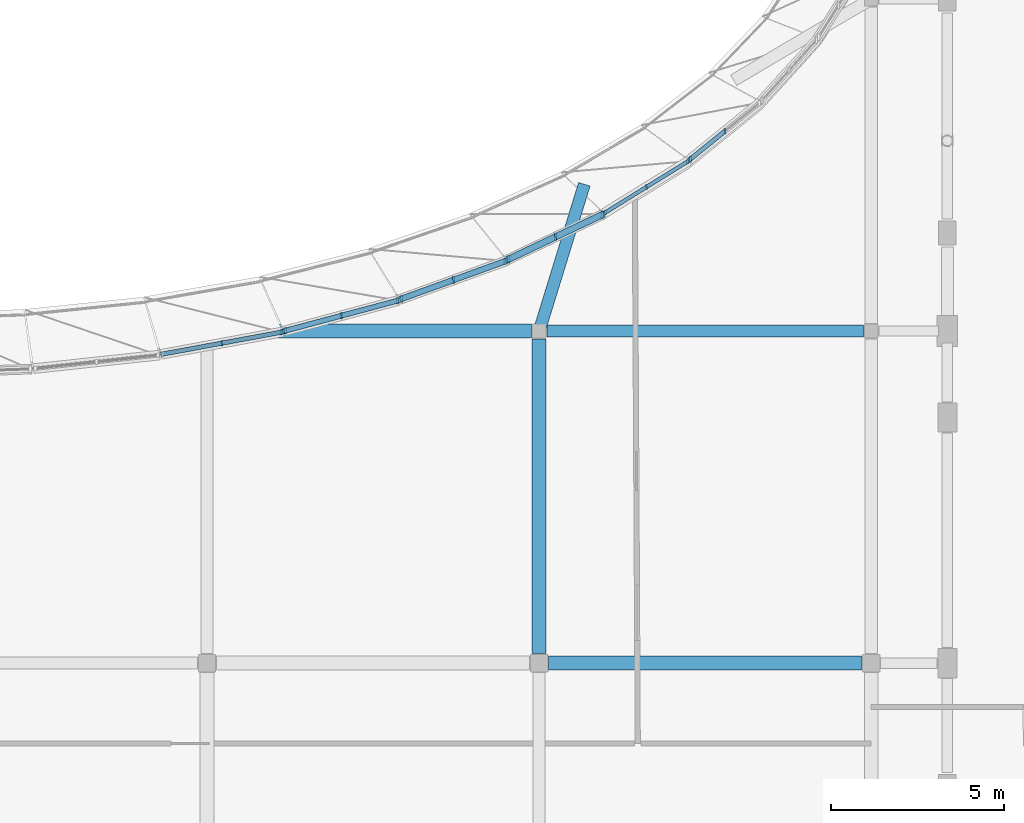
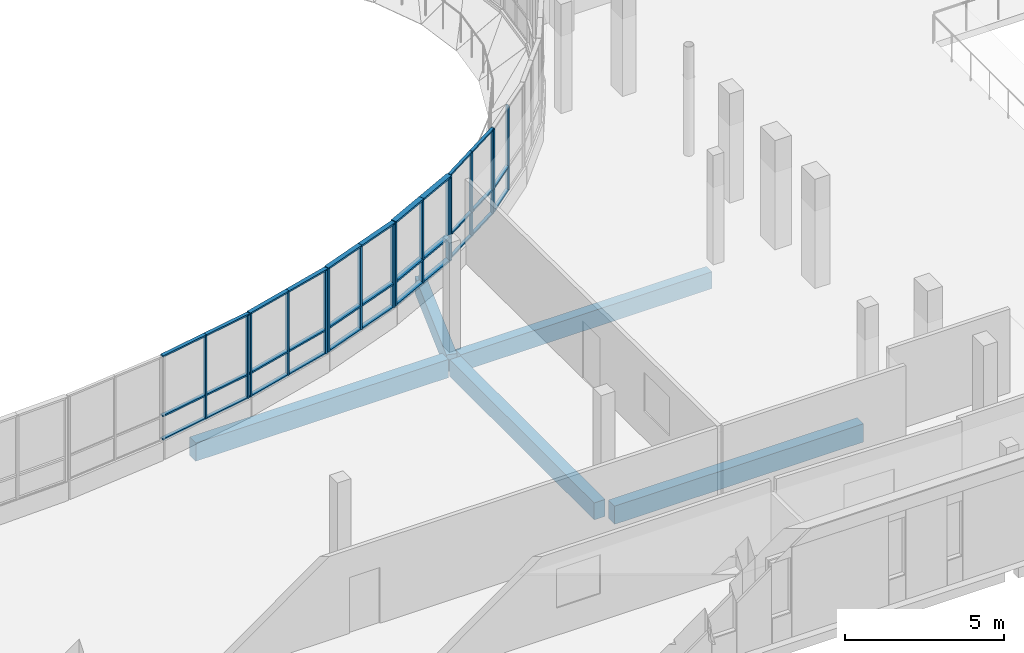
# One storey, part 15 of 84: 48 members, 5 beams, 6 elements without a shape of their own.
"""IFC4 building model written with IfcOpenShell, lengths in metres."""

from ifc_helpers import new_model, si_unit, direction, frame, origin, origin_2d, place, context, subcontext, project, spatial, rectangle, extrude, material, material_profile, profile_set, type_object, element, aggregate, save


model = new_model("IFC4")

# Units and contexts
model_context = context("Model", 3, precision=1e-05, world=origin(), true_north=direction((0.0, 1.0)))
body_context = subcontext(model_context, "Body", "Model", "MODEL_VIEW")
ifc_project = project(units=[si_unit("LENGTHUNIT", "METRE"), si_unit("AREAUNIT", "SQUARE_METRE"), si_unit("VOLUMEUNIT", "CUBIC_METRE"), si_unit("PLANEANGLEUNIT", "RADIAN"), si_unit("MASSUNIT", "GRAM", prefix="KILO")], contexts=[model_context])

# Site, building, storey
site_placement = place(None, origin())
site = spatial("IfcSite", under=ifc_project, at=site_placement, CompositionType="ELEMENT")
building_placement = place(site_placement, origin())
building = spatial("IfcBuilding", under=site, at=building_placement, Name="Mzevani Central Library", CompositionType="ELEMENT")
storey_placement = place(building_placement, frame((0.0, 0.0, 5.39990234375)))
storey = spatial("IfcBuildingStorey", under=building, at=storey_placement, Name="L01", CompositionType="ELEMENT", Elevation=5.39990234375)

# Beams
ifc_material_1 = material(Name="Concrete C35/45", Category="concrete")
ifc_material_profile_1 = material_profile(ifc_material_1, rectangle(XDim=0.35009765625, YDim=0.64990234375, at=origin_2d()), Name="RC B350x650")
ifc_profile_set_1 = profile_set([ifc_material_profile_1], Name="Concrete C35/45")
beam_type_1 = type_object("IfcBeamType", Name="Beam RC 350x650", PredefinedType="BEAM", material=ifc_profile_set_1)
beam_1_placement = place(storey_placement, frame((102.625, 61.60009765625, -0.5849609375), z_axis=(1.0, 0.0, 0.0), x_axis=(0.0, 1.0, 0.0)))
element("IfcBeam", 1, at=beam_1_placement, inside=storey, type_object=beam_type_1, Name="L01 V1 Girder B-05 (28)", PredefinedType="BEAM", context=body_context, shape_type="SweptSolid", body=[
    extrude(rectangle(XDim=0.35009765625, YDim=0.64990234375, at=origin_2d()), origin(), (0.0, 0.0, 1.0), 9.14990234375),
])
beam_2_placement = place(storey_placement, frame((102.39990234375, 61.60009765625, -0.5849609375), z_axis=(0.294155393259, 0.955757607669, 0.0), x_axis=(-0.955757607669, 0.294155393259, 0.0)))
element("IfcBeam", 2, at=beam_2_placement, inside=storey, type_object=beam_type_1, Name="L01 V1 Court Ring Beam 13", PredefinedType="BEAM", context=body_context, shape_type="SweptSolid", body=[
    extrude(rectangle(XDim=0.35009765625, YDim=0.64990234375, at=origin_2d()), origin(), (0.0, 0.0, 1.0), 4.4404296875),
])
ifc_material_profile_2 = material_profile(ifc_material_1, rectangle(XDim=0.39990234375, YDim=0.64990234375, at=origin_2d()), Name="RC B400x650")
ifc_profile_set_2 = profile_set([ifc_material_profile_2], Name="Concrete C35/45")
beam_type_2 = type_object("IfcBeamType", Name="Beam RC 400x650", PredefinedType="BEAM", material=ifc_profile_set_2)
beam_3_placement = place(storey_placement, frame((102.39990234375, 52.27490234375, -0.5849609375), z_axis=(0.0, 1.0, 0.0), x_axis=(-1.0, 0.0, 0.0)))
element("IfcBeam", 3, at=beam_3_placement, inside=storey, type_object=beam_type_2, Name="L01 V1 Frame Beam B-07 (54)", PredefinedType="BEAM", context=body_context, shape_type="SweptSolid", body=[
    extrude(rectangle(XDim=0.39990234375, YDim=0.64990234375, at=origin_2d()), origin(), (0.0, 0.0, 1.0), 9.10009765625),
])
ifc_material_profile_3 = material_profile(ifc_material_1, rectangle(XDim=0.39990234375, YDim=0.699951171875, at=origin_2d()), Name="RC B400x700")
ifc_profile_set_3 = profile_set([ifc_material_profile_3], Name="Concrete C35/45")
beam_type_3 = type_object("IfcBeamType", Name="Beam RC 400x700", PredefinedType="BEAM", material=ifc_profile_set_3)
beam_4_placement = place(storey_placement, frame((102.675048828125, 52.0, -0.60986328125), z_axis=(1.0, 0.0, 0.0), x_axis=(0.0, 1.0, 0.0)))
element("IfcBeam", 4, at=beam_4_placement, inside=storey, type_object=beam_type_3, Name="L01 V1 Girder B-08 (19)", PredefinedType="BEAM", context=body_context, shape_type="SweptSolid", body=[
    extrude(rectangle(XDim=0.39990234375, YDim=0.699951171875, at=origin_2d()), origin(), (0.0, 0.0, 1.0), 9.050048828125),
])
beam_5_placement = place(storey_placement, frame((92.97509765625, 61.60009765625, -0.60986328125), z_axis=(1.0, 0.0, 0.0), x_axis=(0.0, 1.0, 0.0)))
element("IfcBeam", 5, at=beam_5_placement, inside=storey, type_object=beam_type_3, Name="L01 V1 Girder B-08 (27)", PredefinedType="BEAM", context=body_context, shape_type="SweptSolid", body=[
    extrude(rectangle(XDim=0.39990234375, YDim=0.699951171875, at=origin_2d()), origin(), (0.0, 0.0, 1.0), 9.199951171875),
])

# Curtain wall, members
ifc_material_2 = material(Name="Thermally broken aluminium and Low-E triple glazing", Category="aluminium")
curtain_wall_type_1 = type_object("IfcCurtainWallType", Name="Reading Hall Northlight Curtain Wall", PredefinedType="NOTDEFINED", material=ifc_material_2)
curtain_wall_1_placement = place(storey_placement, origin())
curtain_wall_1 = element("IfcCurtainWall", 6, at=curtain_wall_1_placement, inside=storey, type_object=curtain_wall_type_1, Name="L01 Elliptical Court Curtain Wall 43", PredefinedType="NOTDEFINED")
ifc_material_3 = material(Name="Thermally broken aluminium AW-6060", Category="aluminium")
ifc_material_profile_4 = material_profile(ifc_material_3, rectangle(XDim=0.06005859375, YDim=0.139892578125, at=origin_2d()), Name="ALU M60x140")
ifc_profile_set_4 = profile_set([ifc_material_profile_4], Name="Thermally broken aluminium AW-6060")
member_type_1 = type_object("IfcMemberType", Name="CW Mullion 60x140", PredefinedType="MULLION", material=ifc_profile_set_4)
member_1_placement = place(storey_placement, frame((104.322998046875, 65.03369140625, 0.72021484375), z_axis=(0.0, 0.0, 1.0), x_axis=(1.0, 0.0, 0.0)))
member_1 = element("IfcMember", 7, at=member_1_placement, type_object=member_type_1, Name="L01 Elliptical Court Curtain Wall 43 Mullion 1", PredefinedType="MULLION", context=body_context, shape_type="SweptSolid", body=[
    extrude(rectangle(XDim=0.06005859375, YDim=0.139892578125, at=origin_2d()), origin(), (0.0, 0.0, 1.0), 3.199951171875),
])
member_2_placement = place(storey_placement, frame((105.505126953125, 65.76513671875, 0.72021484375), z_axis=(0.0, 0.0, 1.0), x_axis=(1.0, 0.0, 0.0)))
member_2 = element("IfcMember", 8, at=member_2_placement, type_object=member_type_1, Name="L01 Elliptical Court Curtain Wall 43 Mullion 2", PredefinedType="MULLION", context=body_context, shape_type="SweptSolid", body=[
    extrude(rectangle(XDim=0.06005859375, YDim=0.139892578125, at=origin_2d()), origin(), (0.0, 0.0, 1.0), 3.199951171875),
])
member_3_placement = place(storey_placement, frame((106.6875, 66.49658203125, 0.72021484375), z_axis=(0.0, 0.0, 1.0), x_axis=(1.0, 0.0, 0.0)))
member_3 = element("IfcMember", 9, at=member_3_placement, type_object=member_type_1, Name="L01 Elliptical Court Curtain Wall 43 Mullion 3", PredefinedType="MULLION", context=body_context, shape_type="SweptSolid", body=[
    extrude(rectangle(XDim=0.06005859375, YDim=0.139892578125, at=origin_2d()), origin(), (0.0, 0.0, 1.0), 3.199951171875),
])

curtain_wall_type_2 = type_object("IfcCurtainWallType", Name="Elliptical Court Unitised Curtain Wall", PredefinedType="NOTDEFINED", material=ifc_material_2)
curtain_wall_2_placement = place(storey_placement, origin())
curtain_wall_2 = element("IfcCurtainWall", 10, at=curtain_wall_2_placement, inside=storey, type_object=curtain_wall_type_2, Name="L01 Elliptical Court Curtain Wall 39", PredefinedType="NOTDEFINED")
ifc_material_profile_5 = material_profile(ifc_material_3, rectangle(XDim=0.06005859375, YDim=0.159912109375, at=origin_2d()), Name="ALU M60x160")
ifc_profile_set_5 = profile_set([ifc_material_profile_5], Name="Thermally broken aluminium AW-6060")
member_type_2 = type_object("IfcMemberType", Name="CW Mullion 60x160", PredefinedType="MULLION", material=ifc_profile_set_5)
member_4_placement = place(storey_placement, frame((93.22607421875, 61.250244140625, 0.72021484375), z_axis=(0.0, 0.0, 1.0), x_axis=(1.0, 0.0, 0.0)))
member_4 = element("IfcMember", 11, at=member_4_placement, type_object=member_type_2, Name="L01 Elliptical Court Curtain Wall 39 Mullion 2", PredefinedType="MULLION", context=body_context, shape_type="SweptSolid", body=[
    extrude(rectangle(XDim=0.06005859375, YDim=0.159912109375, at=origin_2d()), origin(), (0.0, 0.0, 1.0), 3.199951171875),
])
member_5_placement = place(storey_placement, frame((94.935791015625, 61.5654296875, 0.72021484375), z_axis=(0.0, 0.0, 1.0), x_axis=(1.0, 0.0, 0.0)))
member_5 = element("IfcMember", 12, at=member_5_placement, type_object=member_type_2, Name="L01 Elliptical Court Curtain Wall 39 Mullion 3", PredefinedType="MULLION", context=body_context, shape_type="SweptSolid", body=[
    extrude(rectangle(XDim=0.06005859375, YDim=0.159912109375, at=origin_2d()), origin(), (0.0, 0.0, 1.0), 3.199951171875),
])

curtain_wall_3_placement = place(storey_placement, origin())
curtain_wall_3 = element("IfcCurtainWall", 13, at=curtain_wall_3_placement, inside=storey, type_object=curtain_wall_type_2, Name="L01 Elliptical Court Curtain Wall 44", PredefinedType="NOTDEFINED")
member_6_placement = place(storey_placement, frame((106.77685546875, 66.57421875, 0.72021484375), z_axis=(0.0, 0.0, 1.0), x_axis=(1.0, 0.0, 0.0)))
member_6 = element("IfcMember", 14, at=member_6_placement, type_object=member_type_2, Name="L01 Elliptical Court Curtain Wall 44 Mullion 1", PredefinedType="MULLION", context=body_context, shape_type="SweptSolid", body=[
    extrude(rectangle(XDim=0.06005859375, YDim=0.159912109375, at=origin_2d()), origin(), (0.0, 0.0, 1.0), 3.199951171875),
])
member_7_placement = place(storey_placement, frame((107.77001953125, 67.380615234375, 0.72021484375), z_axis=(0.0, 0.0, 1.0), x_axis=(1.0, 0.0, 0.0)))
member_7 = element("IfcMember", 15, at=member_7_placement, type_object=member_type_2, Name="L01 Elliptical Court Curtain Wall 44 Mullion 2", PredefinedType="MULLION", context=body_context, shape_type="SweptSolid", body=[
    extrude(rectangle(XDim=0.06005859375, YDim=0.159912109375, at=origin_2d()), origin(), (0.0, 0.0, 1.0), 3.199951171875),
])

curtain_wall_4_placement = place(storey_placement, origin())
curtain_wall_4 = element("IfcCurtainWall", 16, at=curtain_wall_4_placement, inside=storey, type_object=curtain_wall_type_1, Name="L01 Elliptical Court Curtain Wall 40", PredefinedType="NOTDEFINED")
ifc_material_profile_6 = material_profile(ifc_material_3, rectangle(XDim=0.06005859375, YDim=0.179931640625, at=origin_2d()), Name="ALU M60x180")
ifc_profile_set_6 = profile_set([ifc_material_profile_6], Name="Thermally broken aluminium AW-6060")
member_type_3 = type_object("IfcMemberType", Name="CW Mullion 60x180", PredefinedType="MULLION", material=ifc_profile_set_6)
member_8_placement = place(storey_placement, frame((95.064453125, 61.611083984375, 0.72021484375), z_axis=(0.0, 0.0, 1.0), x_axis=(1.0, 0.0, 0.0)))
member_8 = element("IfcMember", 17, at=member_8_placement, type_object=member_type_3, Name="L01 Elliptical Court Curtain Wall 40 Mullion 1", PredefinedType="MULLION", context=body_context, shape_type="SweptSolid", body=[
    extrude(rectangle(XDim=0.06005859375, YDim=0.179931640625, at=origin_2d()), origin(), (0.0, 0.0, 1.0), 3.199951171875),
])
member_9_placement = place(storey_placement, frame((96.68212890625, 62.0439453125, 0.72021484375), z_axis=(0.0, 0.0, 1.0), x_axis=(1.0, 0.0, 0.0)))
member_9 = element("IfcMember", 18, at=member_9_placement, type_object=member_type_3, Name="L01 Elliptical Court Curtain Wall 40 Mullion 2", PredefinedType="MULLION", context=body_context, shape_type="SweptSolid", body=[
    extrude(rectangle(XDim=0.06005859375, YDim=0.179931640625, at=origin_2d()), origin(), (0.0, 0.0, 1.0), 3.199951171875),
])
member_10_placement = place(storey_placement, frame((98.2998046875, 62.476806640625, 0.72021484375), z_axis=(0.0, 0.0, 1.0), x_axis=(1.0, 0.0, 0.0)))
member_10 = element("IfcMember", 19, at=member_10_placement, type_object=member_type_3, Name="L01 Elliptical Court Curtain Wall 40 Mullion 3", PredefinedType="MULLION", context=body_context, shape_type="SweptSolid", body=[
    extrude(rectangle(XDim=0.06005859375, YDim=0.179931640625, at=origin_2d()), origin(), (0.0, 0.0, 1.0), 3.199951171875),
])

curtain_wall_5_placement = place(storey_placement, origin())
curtain_wall_5 = element("IfcCurtainWall", 20, at=curtain_wall_5_placement, inside=storey, type_object=curtain_wall_type_2, Name="L01 Elliptical Court Curtain Wall 41", PredefinedType="NOTDEFINED")
ifc_material_profile_7 = material_profile(ifc_material_3, rectangle(XDim=0.06494140625, YDim=0.199951171875, at=origin_2d()), Name="ALU M65x200")
ifc_profile_set_7 = profile_set([ifc_material_profile_7], Name="Thermally broken aluminium AW-6060")
member_type_4 = type_object("IfcMemberType", Name="CW Mullion 65x200", PredefinedType="MULLION", material=ifc_profile_set_7)
member_11_placement = place(storey_placement, frame((98.417724609375, 62.531005859375, 0.72021484375), z_axis=(0.0, 0.0, 1.0), x_axis=(1.0, 0.0, 0.0)))
member_11 = element("IfcMember", 21, at=member_11_placement, type_object=member_type_4, Name="L01 Elliptical Court Curtain Wall 41 Mullion 1", PredefinedType="MULLION", context=body_context, shape_type="SweptSolid", body=[
    extrude(rectangle(XDim=0.06494140625, YDim=0.199951171875, at=origin_2d()), origin(), (0.0, 0.0, 1.0), 3.199951171875),
])
member_12_placement = place(storey_placement, frame((99.915283203125, 63.073974609375, 0.72021484375), z_axis=(0.0, 0.0, 1.0), x_axis=(1.0, 0.0, 0.0)))
member_12 = element("IfcMember", 22, at=member_12_placement, type_object=member_type_4, Name="L01 Elliptical Court Curtain Wall 41 Mullion 2", PredefinedType="MULLION", context=body_context, shape_type="SweptSolid", body=[
    extrude(rectangle(XDim=0.06494140625, YDim=0.199951171875, at=origin_2d()), origin(), (0.0, 0.0, 1.0), 3.199951171875),
])
member_13_placement = place(storey_placement, frame((101.41259765625, 63.616943359375, 0.72021484375), z_axis=(0.0, 0.0, 1.0), x_axis=(1.0, 0.0, 0.0)))
member_13 = element("IfcMember", 23, at=member_13_placement, type_object=member_type_4, Name="L01 Elliptical Court Curtain Wall 41 Mullion 3", PredefinedType="MULLION", context=body_context, shape_type="SweptSolid", body=[
    extrude(rectangle(XDim=0.06494140625, YDim=0.199951171875, at=origin_2d()), origin(), (0.0, 0.0, 1.0), 3.199951171875),
])

curtain_wall_6_placement = place(storey_placement, origin())
curtain_wall_6 = element("IfcCurtainWall", 24, at=curtain_wall_6_placement, inside=storey, type_object=curtain_wall_type_2, Name="L01 Elliptical Court Curtain Wall 42", PredefinedType="NOTDEFINED")
ifc_material_profile_8 = material_profile(ifc_material_3, rectangle(XDim=0.070068359375, YDim=0.219970703125, at=origin_2d()), Name="ALU M70x220")
ifc_profile_set_8 = profile_set([ifc_material_profile_8], Name="Thermally broken aluminium AW-6060")
member_type_5 = type_object("IfcMemberType", Name="CW Mullion 70x220", PredefinedType="MULLION", material=ifc_profile_set_8)
member_14_placement = place(storey_placement, frame((101.52099609375, 63.67822265625, 0.72021484375), z_axis=(0.0, 0.0, 1.0), x_axis=(1.0, 0.0, 0.0)))
member_14 = element("IfcMember", 25, at=member_14_placement, type_object=member_type_5, Name="L01 Elliptical Court Curtain Wall 42 Mullion 1", PredefinedType="MULLION", context=body_context, shape_type="SweptSolid", body=[
    extrude(rectangle(XDim=0.070068359375, YDim=0.219970703125, at=origin_2d()), origin(), (0.0, 0.0, 1.0), 3.199951171875),
])
member_15_placement = place(storey_placement, frame((102.872314453125, 64.321533203125, 0.72021484375), z_axis=(0.0, 0.0, 1.0), x_axis=(1.0, 0.0, 0.0)))
member_15 = element("IfcMember", 26, at=member_15_placement, type_object=member_type_5, Name="L01 Elliptical Court Curtain Wall 42 Mullion 2", PredefinedType="MULLION", context=body_context, shape_type="SweptSolid", body=[
    extrude(rectangle(XDim=0.070068359375, YDim=0.219970703125, at=origin_2d()), origin(), (0.0, 0.0, 1.0), 3.199951171875),
])
member_16_placement = place(storey_placement, frame((104.2236328125, 64.964599609375, 0.72021484375), z_axis=(0.0, 0.0, 1.0), x_axis=(1.0, 0.0, 0.0)))
member_16 = element("IfcMember", 27, at=member_16_placement, type_object=member_type_5, Name="L01 Elliptical Court Curtain Wall 42 Mullion 3", PredefinedType="MULLION", context=body_context, shape_type="SweptSolid", body=[
    extrude(rectangle(XDim=0.070068359375, YDim=0.219970703125, at=origin_2d()), origin(), (0.0, 0.0, 1.0), 3.199951171875),
])

# Member
ifc_material_profile_9 = material_profile(ifc_material_3, rectangle(XDim=0.110107421875, YDim=0.06005859375, at=origin_2d()), Name="ALU T60x110")
ifc_profile_set_9 = profile_set([ifc_material_profile_9], Name="Thermally broken aluminium AW-6060")
member_type_6 = type_object("IfcMemberType", Name="CW Transom 60x110", PredefinedType="USERDEFINED", material=ifc_profile_set_9)
member_17_placement = place(storey_placement, frame((104.280517578125, 65.00732421875, 0.72021484375), z_axis=(0.850351844492, 0.526214538538, 0.0), x_axis=(-0.526214538538, 0.850351844492, 0.0)))
member_17 = element("IfcMember", 28, at=member_17_placement, type_object=member_type_6, Name="L01 Elliptical Court Curtain Wall 43 Transom 1", ObjectType="TRANSOM", PredefinedType="USERDEFINED", context=body_context, shape_type="SweptSolid", body=[
    extrude(rectangle(XDim=0.110107421875, YDim=0.06005859375, at=origin_2d()), origin(), (0.0, 0.0, 1.0), 1.440185546875),
])

member_18_placement = place(storey_placement, frame((104.280517578125, 65.00732421875, 1.6201171875), z_axis=(0.850351844492, 0.526214538538, 0.0), x_axis=(-0.526214538538, 0.850351844492, 0.0)))
member_18 = element("IfcMember", 29, at=member_18_placement, type_object=member_type_6, Name="L01 Elliptical Court Curtain Wall 43 Transom 2", ObjectType="TRANSOM", PredefinedType="USERDEFINED", context=body_context, shape_type="SweptSolid", body=[
    extrude(rectangle(XDim=0.110107421875, YDim=0.06005859375, at=origin_2d()), origin(), (0.0, 0.0, 1.0), 1.440185546875),
])

member_19_placement = place(storey_placement, frame((104.280517578125, 65.00732421875, 3.920166015625), z_axis=(0.850351844492, 0.526214538538, 0.0), x_axis=(-0.526214538538, 0.850351844492, 0.0)))
member_19 = element("IfcMember", 30, at=member_19_placement, type_object=member_type_6, Name="L01 Elliptical Court Curtain Wall 43 Transom 3", ObjectType="TRANSOM", PredefinedType="USERDEFINED", context=body_context, shape_type="SweptSolid", body=[
    extrude(rectangle(XDim=0.110107421875, YDim=0.06005859375, at=origin_2d()), origin(), (0.0, 0.0, 1.0), 1.440185546875),
])

member_20_placement = place(storey_placement, frame((105.505126953125, 65.76513671875, 0.72021484375), z_axis=(0.850398776908, 0.526138689162, 0.0), x_axis=(-0.526138689162, 0.850398776908, 0.0)))
member_20 = element("IfcMember", 31, at=member_20_placement, type_object=member_type_6, Name="L01 Elliptical Court Curtain Wall 43 Transom 4", ObjectType="TRANSOM", PredefinedType="USERDEFINED", context=body_context, shape_type="SweptSolid", body=[
    extrude(rectangle(XDim=0.110107421875, YDim=0.06005859375, at=origin_2d()), origin(), (0.0, 0.0, 1.0), 1.4404296875),
])

member_21_placement = place(storey_placement, frame((105.505126953125, 65.76513671875, 1.6201171875), z_axis=(0.850398776908, 0.526138689162, 0.0), x_axis=(-0.526138689162, 0.850398776908, 0.0)))
member_21 = element("IfcMember", 32, at=member_21_placement, type_object=member_type_6, Name="L01 Elliptical Court Curtain Wall 43 Transom 5", ObjectType="TRANSOM", PredefinedType="USERDEFINED", context=body_context, shape_type="SweptSolid", body=[
    extrude(rectangle(XDim=0.110107421875, YDim=0.06005859375, at=origin_2d()), origin(), (0.0, 0.0, 1.0), 1.4404296875),
])

member_22_placement = place(storey_placement, frame((105.505126953125, 65.76513671875, 3.920166015625), z_axis=(0.850398776908, 0.526138689162, 0.0), x_axis=(-0.526138689162, 0.850398776908, 0.0)))
member_22 = element("IfcMember", 33, at=member_22_placement, type_object=member_type_6, Name="L01 Elliptical Court Curtain Wall 43 Transom 6", ObjectType="TRANSOM", PredefinedType="USERDEFINED", context=body_context, shape_type="SweptSolid", body=[
    extrude(rectangle(XDim=0.110107421875, YDim=0.06005859375, at=origin_2d()), origin(), (0.0, 0.0, 1.0), 1.4404296875),
])

aggregate(curtain_wall_1, [member_1, member_2, member_3, member_17, member_18, member_19, member_20, member_21, member_22])

ifc_material_profile_10 = material_profile(ifc_material_3, rectangle(XDim=0.1298828125, YDim=0.06005859375, at=origin_2d()), Name="ALU T60x130")
ifc_profile_set_10 = profile_set([ifc_material_profile_10], Name="Thermally broken aluminium AW-6060")
member_type_7 = type_object("IfcMemberType", Name="CW Transom 60x130", PredefinedType="USERDEFINED", material=ifc_profile_set_10)
member_23_placement = place(storey_placement, frame((91.467041015625, 60.92626953125, 0.72021484375), z_axis=(0.983458947834, 0.181131162217, 0.0), x_axis=(-0.181131162217, 0.983458947834, 0.0)))
member_23 = element("IfcMember", 34, at=member_23_placement, type_object=member_type_7, Name="L01 Elliptical Court Curtain Wall 39 Transom 1", ObjectType="TRANSOM", PredefinedType="USERDEFINED", context=body_context, shape_type="SweptSolid", body=[
    extrude(rectangle(XDim=0.1298828125, YDim=0.06005859375, at=origin_2d()), origin(), (0.0, 0.0, 1.0), 1.78857421875),
])

member_24_placement = place(storey_placement, frame((91.467041015625, 60.92626953125, 1.6201171875), z_axis=(0.983458947834, 0.181131162217, 0.0), x_axis=(-0.181131162217, 0.983458947834, 0.0)))
member_24 = element("IfcMember", 35, at=member_24_placement, type_object=member_type_7, Name="L01 Elliptical Court Curtain Wall 39 Transom 2", ObjectType="TRANSOM", PredefinedType="USERDEFINED", context=body_context, shape_type="SweptSolid", body=[
    extrude(rectangle(XDim=0.1298828125, YDim=0.06005859375, at=origin_2d()), origin(), (0.0, 0.0, 1.0), 1.78857421875),
])

member_25_placement = place(storey_placement, frame((91.467041015625, 60.92626953125, 3.920166015625), z_axis=(0.983458947834, 0.181131162217, 0.0), x_axis=(-0.181131162217, 0.983458947834, 0.0)))
member_25 = element("IfcMember", 36, at=member_25_placement, type_object=member_type_7, Name="L01 Elliptical Court Curtain Wall 39 Transom 3", ObjectType="TRANSOM", PredefinedType="USERDEFINED", context=body_context, shape_type="SweptSolid", body=[
    extrude(rectangle(XDim=0.1298828125, YDim=0.06005859375, at=origin_2d()), origin(), (0.0, 0.0, 1.0), 1.78857421875),
])

member_26_placement = place(storey_placement, frame((93.22607421875, 61.250244140625, 0.72021484375), z_axis=(0.983430139146, 0.181287510381, 0.0), x_axis=(-0.181287510381, 0.983430139146, 0.0)))
member_26 = element("IfcMember", 37, at=member_26_placement, type_object=member_type_7, Name="L01 Elliptical Court Curtain Wall 39 Transom 4", ObjectType="TRANSOM", PredefinedType="USERDEFINED", context=body_context, shape_type="SweptSolid", body=[
    extrude(rectangle(XDim=0.1298828125, YDim=0.06005859375, at=origin_2d()), origin(), (0.0, 0.0, 1.0), 1.788330078125),
])

member_27_placement = place(storey_placement, frame((93.22607421875, 61.250244140625, 1.6201171875), z_axis=(0.983430139146, 0.181287510381, 0.0), x_axis=(-0.181287510381, 0.983430139146, 0.0)))
member_27 = element("IfcMember", 38, at=member_27_placement, type_object=member_type_7, Name="L01 Elliptical Court Curtain Wall 39 Transom 5", ObjectType="TRANSOM", PredefinedType="USERDEFINED", context=body_context, shape_type="SweptSolid", body=[
    extrude(rectangle(XDim=0.1298828125, YDim=0.06005859375, at=origin_2d()), origin(), (0.0, 0.0, 1.0), 1.788330078125),
])

member_28_placement = place(storey_placement, frame((93.22607421875, 61.250244140625, 3.920166015625), z_axis=(0.983430139146, 0.181287510381, 0.0), x_axis=(-0.181287510381, 0.983430139146, 0.0)))
member_28 = element("IfcMember", 39, at=member_28_placement, type_object=member_type_7, Name="L01 Elliptical Court Curtain Wall 39 Transom 6", ObjectType="TRANSOM", PredefinedType="USERDEFINED", context=body_context, shape_type="SweptSolid", body=[
    extrude(rectangle(XDim=0.1298828125, YDim=0.06005859375, at=origin_2d()), origin(), (0.0, 0.0, 1.0), 1.788330078125),
])

aggregate(curtain_wall_2, [member_4, member_5, member_23, member_24, member_25, member_26, member_27, member_28])

member_29_placement = place(storey_placement, frame((106.738037109375, 66.54248046875, 0.72021484375), z_axis=(0.776243179452, 0.63043360186, 0.0), x_axis=(-0.63043360186, 0.776243179452, 0.0)))
member_29 = element("IfcMember", 40, at=member_29_placement, type_object=member_type_7, Name="L01 Elliptical Court Curtain Wall 44 Transom 1", ObjectType="TRANSOM", PredefinedType="USERDEFINED", context=body_context, shape_type="SweptSolid", body=[
    extrude(rectangle(XDim=0.1298828125, YDim=0.06005859375, at=origin_2d()), origin(), (0.0, 0.0, 1.0), 1.329345703125),
])

member_30_placement = place(storey_placement, frame((106.738037109375, 66.54248046875, 1.6201171875), z_axis=(0.776243179452, 0.63043360186, 0.0), x_axis=(-0.63043360186, 0.776243179452, 0.0)))
member_30 = element("IfcMember", 41, at=member_30_placement, type_object=member_type_7, Name="L01 Elliptical Court Curtain Wall 44 Transom 2", ObjectType="TRANSOM", PredefinedType="USERDEFINED", context=body_context, shape_type="SweptSolid", body=[
    extrude(rectangle(XDim=0.1298828125, YDim=0.06005859375, at=origin_2d()), origin(), (0.0, 0.0, 1.0), 1.329345703125),
])

aggregate(curtain_wall_3, [member_6, member_7, member_29, member_30])

ifc_material_profile_11 = material_profile(ifc_material_3, rectangle(XDim=0.14990234375, YDim=0.06005859375, at=origin_2d()), Name="ALU T60x150")
ifc_profile_set_11 = profile_set([ifc_material_profile_11], Name="Thermally broken aluminium AW-6060")
member_type_8 = type_object("IfcMemberType", Name="CW Transom 60x150", PredefinedType="USERDEFINED", material=ifc_profile_set_11)
member_31_placement = place(storey_placement, frame((95.01611328125, 61.59814453125, 0.72021484375), z_axis=(0.966013725651, 0.258490777116, 0.0), x_axis=(-0.258490777116, 0.966013725651, 0.0)))
member_31 = element("IfcMember", 42, at=member_31_placement, type_object=member_type_8, Name="L01 Elliptical Court Curtain Wall 40 Transom 1", ObjectType="TRANSOM", PredefinedType="USERDEFINED", context=body_context, shape_type="SweptSolid", body=[
    extrude(rectangle(XDim=0.14990234375, YDim=0.06005859375, at=origin_2d()), origin(), (0.0, 0.0, 1.0), 1.724609375),
])

member_32_placement = place(storey_placement, frame((95.01611328125, 61.59814453125, 1.6201171875), z_axis=(0.966013725651, 0.258490777116, 0.0), x_axis=(-0.258490777116, 0.966013725651, 0.0)))
member_32 = element("IfcMember", 43, at=member_32_placement, type_object=member_type_8, Name="L01 Elliptical Court Curtain Wall 40 Transom 2", ObjectType="TRANSOM", PredefinedType="USERDEFINED", context=body_context, shape_type="SweptSolid", body=[
    extrude(rectangle(XDim=0.14990234375, YDim=0.06005859375, at=origin_2d()), origin(), (0.0, 0.0, 1.0), 1.724609375),
])

member_33_placement = place(storey_placement, frame((95.01611328125, 61.59814453125, 3.920166015625), z_axis=(0.966013725651, 0.258490777116, 0.0), x_axis=(-0.258490777116, 0.966013725651, 0.0)))
member_33 = element("IfcMember", 44, at=member_33_placement, type_object=member_type_8, Name="L01 Elliptical Court Curtain Wall 40 Transom 3", ObjectType="TRANSOM", PredefinedType="USERDEFINED", context=body_context, shape_type="SweptSolid", body=[
    extrude(rectangle(XDim=0.14990234375, YDim=0.06005859375, at=origin_2d()), origin(), (0.0, 0.0, 1.0), 1.724609375),
])

member_34_placement = place(storey_placement, frame((96.68212890625, 62.0439453125, 0.72021484375), z_axis=(0.966004264947, 0.258526130411, 0.0), x_axis=(-0.258526130411, 0.966004264947, 0.0)))
member_34 = element("IfcMember", 45, at=member_34_placement, type_object=member_type_8, Name="L01 Elliptical Court Curtain Wall 40 Transom 4", ObjectType="TRANSOM", PredefinedType="USERDEFINED", context=body_context, shape_type="SweptSolid", body=[
    extrude(rectangle(XDim=0.14990234375, YDim=0.06005859375, at=origin_2d()), origin(), (0.0, 0.0, 1.0), 1.724365234375),
])

member_35_placement = place(storey_placement, frame((96.68212890625, 62.0439453125, 1.6201171875), z_axis=(0.966004264947, 0.258526130411, 0.0), x_axis=(-0.258526130411, 0.966004264947, 0.0)))
member_35 = element("IfcMember", 46, at=member_35_placement, type_object=member_type_8, Name="L01 Elliptical Court Curtain Wall 40 Transom 5", ObjectType="TRANSOM", PredefinedType="USERDEFINED", context=body_context, shape_type="SweptSolid", body=[
    extrude(rectangle(XDim=0.14990234375, YDim=0.06005859375, at=origin_2d()), origin(), (0.0, 0.0, 1.0), 1.724365234375),
])

member_36_placement = place(storey_placement, frame((96.68212890625, 62.0439453125, 3.920166015625), z_axis=(0.966004264947, 0.258526130411, 0.0), x_axis=(-0.258526130411, 0.966004264947, 0.0)))
member_36 = element("IfcMember", 47, at=member_36_placement, type_object=member_type_8, Name="L01 Elliptical Court Curtain Wall 40 Transom 6", ObjectType="TRANSOM", PredefinedType="USERDEFINED", context=body_context, shape_type="SweptSolid", body=[
    extrude(rectangle(XDim=0.14990234375, YDim=0.06005859375, at=origin_2d()), origin(), (0.0, 0.0, 1.0), 1.724365234375),
])

aggregate(curtain_wall_4, [member_8, member_9, member_10, member_31, member_32, member_33, member_34, member_35, member_36])

ifc_material_profile_12 = material_profile(ifc_material_3, rectangle(XDim=0.169921875, YDim=0.06494140625, at=origin_2d()), Name="ALU T65x170")
ifc_profile_set_12 = profile_set([ifc_material_profile_12], Name="Thermally broken aluminium AW-6060")
member_type_9 = type_object("IfcMemberType", Name="CW Transom 65x170", PredefinedType="USERDEFINED", material=ifc_profile_set_12)
member_37_placement = place(storey_placement, frame((98.370849609375, 62.513916015625, 0.72021484375), z_axis=(0.940096777535, 0.340907683792, 0.0), x_axis=(-0.340907683792, 0.940096777535, 0.0)))
member_37 = element("IfcMember", 48, at=member_37_placement, type_object=member_type_9, Name="L01 Elliptical Court Curtain Wall 41 Transom 1", ObjectType="TRANSOM", PredefinedType="USERDEFINED", context=body_context, shape_type="SweptSolid", body=[
    extrude(rectangle(XDim=0.169921875, YDim=0.06494140625, at=origin_2d()), origin(), (0.0, 0.0, 1.0), 1.642822265625),
])

member_38_placement = place(storey_placement, frame((98.370849609375, 62.513916015625, 1.6201171875), z_axis=(0.940096777535, 0.340907683792, 0.0), x_axis=(-0.340907683792, 0.940096777535, 0.0)))
member_38 = element("IfcMember", 49, at=member_38_placement, type_object=member_type_9, Name="L01 Elliptical Court Curtain Wall 41 Transom 2", ObjectType="TRANSOM", PredefinedType="USERDEFINED", context=body_context, shape_type="SweptSolid", body=[
    extrude(rectangle(XDim=0.169921875, YDim=0.06494140625, at=origin_2d()), origin(), (0.0, 0.0, 1.0), 1.642822265625),
])

member_39_placement = place(storey_placement, frame((98.370849609375, 62.513916015625, 3.920166015625), z_axis=(0.940096777535, 0.340907683792, 0.0), x_axis=(-0.340907683792, 0.940096777535, 0.0)))
member_39 = element("IfcMember", 50, at=member_39_placement, type_object=member_type_9, Name="L01 Elliptical Court Curtain Wall 41 Transom 3", ObjectType="TRANSOM", PredefinedType="USERDEFINED", context=body_context, shape_type="SweptSolid", body=[
    extrude(rectangle(XDim=0.169921875, YDim=0.06494140625, at=origin_2d()), origin(), (0.0, 0.0, 1.0), 1.642822265625),
])

member_40_placement = place(storey_placement, frame((99.915283203125, 63.073974609375, 0.72021484375), z_axis=(0.940144397718, 0.340776336384, 0.0), x_axis=(-0.340776336384, 0.940144397718, 0.0)))
member_40 = element("IfcMember", 51, at=member_40_placement, type_object=member_type_9, Name="L01 Elliptical Court Curtain Wall 41 Transom 4", ObjectType="TRANSOM", PredefinedType="USERDEFINED", context=body_context, shape_type="SweptSolid", body=[
    extrude(rectangle(XDim=0.169921875, YDim=0.06494140625, at=origin_2d()), origin(), (0.0, 0.0, 1.0), 1.642822265625),
])

member_41_placement = place(storey_placement, frame((99.915283203125, 63.073974609375, 1.6201171875), z_axis=(0.940144397718, 0.340776336384, 0.0), x_axis=(-0.340776336384, 0.940144397718, 0.0)))
member_41 = element("IfcMember", 52, at=member_41_placement, type_object=member_type_9, Name="L01 Elliptical Court Curtain Wall 41 Transom 5", ObjectType="TRANSOM", PredefinedType="USERDEFINED", context=body_context, shape_type="SweptSolid", body=[
    extrude(rectangle(XDim=0.169921875, YDim=0.06494140625, at=origin_2d()), origin(), (0.0, 0.0, 1.0), 1.642822265625),
])

member_42_placement = place(storey_placement, frame((99.915283203125, 63.073974609375, 3.920166015625), z_axis=(0.940144397718, 0.340776336384, 0.0), x_axis=(-0.340776336384, 0.940144397718, 0.0)))
member_42 = element("IfcMember", 53, at=member_42_placement, type_object=member_type_9, Name="L01 Elliptical Court Curtain Wall 41 Transom 6", ObjectType="TRANSOM", PredefinedType="USERDEFINED", context=body_context, shape_type="SweptSolid", body=[
    extrude(rectangle(XDim=0.169921875, YDim=0.06494140625, at=origin_2d()), origin(), (0.0, 0.0, 1.0), 1.642822265625),
])

aggregate(curtain_wall_5, [member_11, member_12, member_13, member_37, member_38, member_39, member_40, member_41, member_42])

ifc_material_profile_13 = material_profile(ifc_material_3, rectangle(XDim=0.18994140625, YDim=0.070068359375, at=origin_2d()), Name="ALU T70x190")
ifc_profile_set_13 = profile_set([ifc_material_profile_13], Name="Thermally broken aluminium AW-6060")
member_type_10 = type_object("IfcMemberType", Name="CW Transom 70x190", PredefinedType="USERDEFINED", material=ifc_profile_set_13)
member_43_placement = place(storey_placement, frame((101.475830078125, 63.65673828125, 0.72021484375), z_axis=(0.902910114925, 0.429829413101, 0.0), x_axis=(-0.429829413101, 0.902910114925, 0.0)))
member_43 = element("IfcMember", 54, at=member_43_placement, type_object=member_type_10, Name="L01 Elliptical Court Curtain Wall 42 Transom 1", ObjectType="TRANSOM", PredefinedType="USERDEFINED", context=body_context, shape_type="SweptSolid", body=[
    extrude(rectangle(XDim=0.18994140625, YDim=0.070068359375, at=origin_2d()), origin(), (0.0, 0.0, 1.0), 1.546630859375),
])

member_44_placement = place(storey_placement, frame((101.475830078125, 63.65673828125, 1.6201171875), z_axis=(0.902910114925, 0.429829413101, 0.0), x_axis=(-0.429829413101, 0.902910114925, 0.0)))
member_44 = element("IfcMember", 55, at=member_44_placement, type_object=member_type_10, Name="L01 Elliptical Court Curtain Wall 42 Transom 2", ObjectType="TRANSOM", PredefinedType="USERDEFINED", context=body_context, shape_type="SweptSolid", body=[
    extrude(rectangle(XDim=0.18994140625, YDim=0.070068359375, at=origin_2d()), origin(), (0.0, 0.0, 1.0), 1.546630859375),
])

member_45_placement = place(storey_placement, frame((101.475830078125, 63.65673828125, 3.920166015625), z_axis=(0.902910114925, 0.429829413101, 0.0), x_axis=(-0.429829413101, 0.902910114925, 0.0)))
member_45 = element("IfcMember", 56, at=member_45_placement, type_object=member_type_10, Name="L01 Elliptical Court Curtain Wall 42 Transom 3", ObjectType="TRANSOM", PredefinedType="USERDEFINED", context=body_context, shape_type="SweptSolid", body=[
    extrude(rectangle(XDim=0.18994140625, YDim=0.070068359375, at=origin_2d()), origin(), (0.0, 0.0, 1.0), 1.546630859375),
])

member_46_placement = place(storey_placement, frame((102.872314453125, 64.321533203125, 0.72021484375), z_axis=(0.902971371622, 0.42970071216, 0.0), x_axis=(-0.42970071216, 0.902971371622, 0.0)))
member_46 = element("IfcMember", 57, at=member_46_placement, type_object=member_type_10, Name="L01 Elliptical Court Curtain Wall 42 Transom 4", ObjectType="TRANSOM", PredefinedType="USERDEFINED", context=body_context, shape_type="SweptSolid", body=[
    extrude(rectangle(XDim=0.18994140625, YDim=0.070068359375, at=origin_2d()), origin(), (0.0, 0.0, 1.0), 1.546630859375),
])

member_47_placement = place(storey_placement, frame((102.872314453125, 64.321533203125, 1.6201171875), z_axis=(0.902971371622, 0.42970071216, 0.0), x_axis=(-0.42970071216, 0.902971371622, 0.0)))
member_47 = element("IfcMember", 58, at=member_47_placement, type_object=member_type_10, Name="L01 Elliptical Court Curtain Wall 42 Transom 5", ObjectType="TRANSOM", PredefinedType="USERDEFINED", context=body_context, shape_type="SweptSolid", body=[
    extrude(rectangle(XDim=0.18994140625, YDim=0.070068359375, at=origin_2d()), origin(), (0.0, 0.0, 1.0), 1.546630859375),
])

member_48_placement = place(storey_placement, frame((102.872314453125, 64.321533203125, 3.920166015625), z_axis=(0.902971371622, 0.42970071216, 0.0), x_axis=(-0.42970071216, 0.902971371622, 0.0)))
member_48 = element("IfcMember", 59, at=member_48_placement, type_object=member_type_10, Name="L01 Elliptical Court Curtain Wall 42 Transom 6", ObjectType="TRANSOM", PredefinedType="USERDEFINED", context=body_context, shape_type="SweptSolid", body=[
    extrude(rectangle(XDim=0.18994140625, YDim=0.070068359375, at=origin_2d()), origin(), (0.0, 0.0, 1.0), 1.546630859375),
])

aggregate(curtain_wall_6, [member_14, member_15, member_16, member_43, member_44, member_45, member_46, member_47, member_48])

save(model, "model.ifc")
